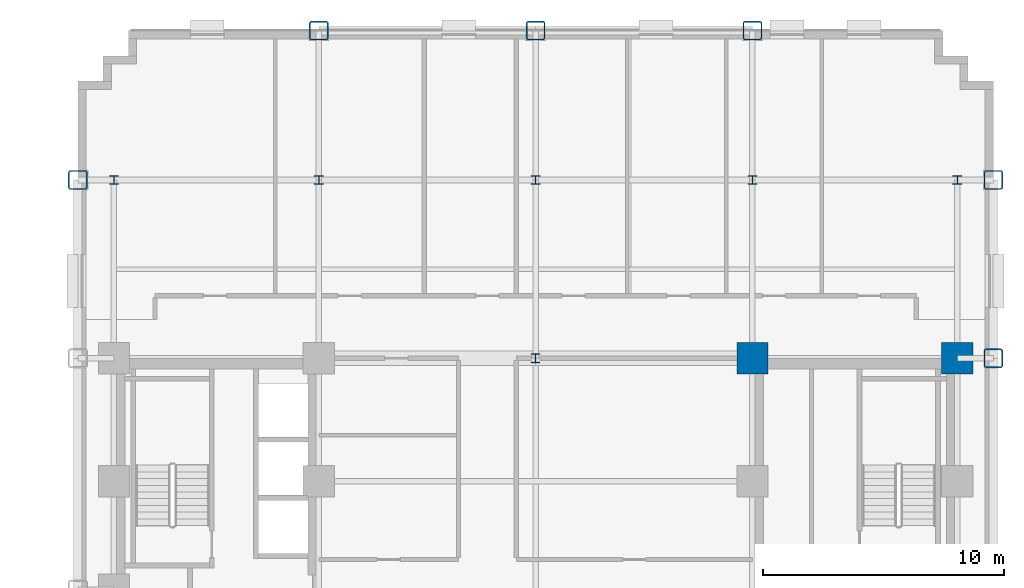
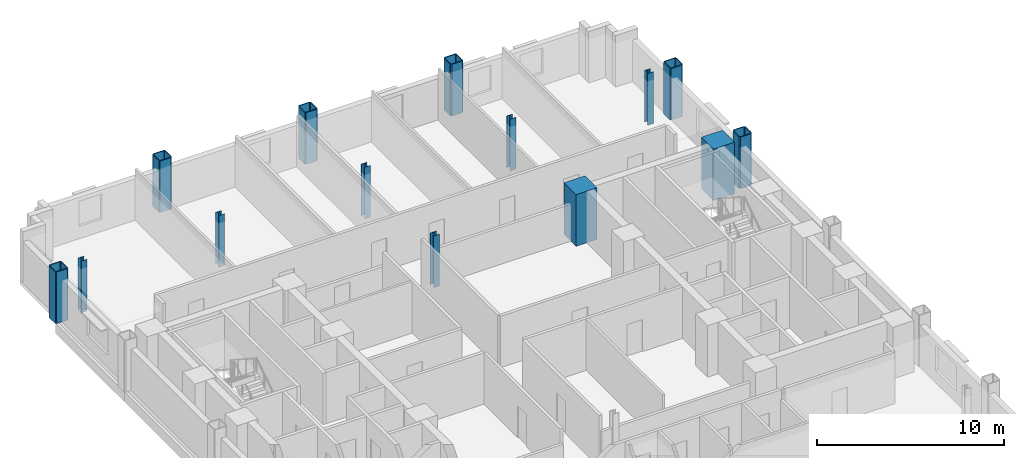
# One storey, part 2 of 12: 14 columns.
"""IFC4 building model written with IfcOpenShell, lengths in metres."""

from ifc_helpers import new_model, si_unit, direction, frame, origin, origin_2d, place, context, subcontext, project, spatial, rectangle, hollow_rectangle, i_section, extrude, material, material_profile, profile_set, type_object, element, save


model = new_model("IFC4")

# Units and contexts
model_context = context("Model", 3, precision=1e-05, world=origin(), true_north=direction((0.0, 1.0)))
body_context = subcontext(model_context, "Body", "Model", "MODEL_VIEW")
ifc_project = project(units=[si_unit("LENGTHUNIT", "METRE"), si_unit("AREAUNIT", "SQUARE_METRE"), si_unit("VOLUMEUNIT", "CUBIC_METRE"), si_unit("PLANEANGLEUNIT", "RADIAN"), si_unit("MASSUNIT", "GRAM", prefix="KILO")], contexts=[model_context])

# Site, building, storey
site_placement = place(None, origin())
site = spatial("IfcSite", under=ifc_project, at=site_placement, CompositionType="ELEMENT")
building_placement = place(site_placement, origin())
building = spatial("IfcBuilding", under=site, at=building_placement, Name="Nuvemarco Arch Tower", CompositionType="ELEMENT")
storey_placement = place(building_placement, frame((0.0, 0.0, 34.89990234375)))
storey = spatial("IfcBuildingStorey", under=building, at=storey_placement, Name="L08", CompositionType="ELEMENT", Elevation=34.89990234375)

# Columns
ifc_material_1 = material(Name="Concrete C60/75", Category="concrete")
ifc_material_profile_1 = material_profile(ifc_material_1, rectangle(XDim=1.300048828125, YDim=1.300048828125, at=origin_2d()), Name="RC-COL-1300x1300")
ifc_profile_set_1 = profile_set([ifc_material_profile_1], Name="Concrete C60/75")
column_type_1 = type_object("IfcColumnType", Name="COL-CORE-1300", PredefinedType="COLUMN", material=ifc_profile_set_1)
for number, where, z_axis, x_axis, name in (
    (1, (9.0, 9.60009765625, 0.0), (0.0, 0.0, 1.0), (1.0, 0.0, 0.0), "L08 column CC_+9.0_+9.6"),
    (2, (17.5, 9.60009765625, 0.0), (0.0, 0.0, 1.0), (1.0, 0.0, 0.0), "L08 column CC_+17.5_+9.6"),
):
    element("IfcColumn", number, at=place(storey_placement, frame(where, z_axis=z_axis, x_axis=x_axis)), inside=storey, type_object=column_type_1, Name=name, PredefinedType="COLUMN", context=body_context, shape_type="SweptSolid", body=[
        extrude(rectangle(XDim=1.300048828125, YDim=1.300048828125, at=origin_2d()), origin(), (0.0, 0.0, 1.0), 3.3701171875),
    ])
ifc_material_2 = material(Name="Steel S460", Category="steel")
ifc_material_profile_2 = material_profile(ifc_material_2, hollow_rectangle(XDim=0.800048828125, YDim=0.800048828125, WallThickness=0.054931640625, InnerFilletRadius=0.054931640625, OuterFilletRadius=0.110107421875, at=origin_2d()), Name="SHS800x800x55")
ifc_profile_set_2 = profile_set([ifc_material_profile_2], Name="Steel S460")
column_type_2 = type_object("IfcColumnType", Name="COL-EXO-800", PredefinedType="COLUMN", material=ifc_profile_set_2)
for number, where, z_axis, x_axis, name in (
    (3, (-19.0, 17.0, 0.0), (0.0, 0.0, 1.0), (1.0, 0.0, 0.0), "L08 column CX_-19.0_+17.0"),
    (4, (19.0, 9.60009765625, 0.0), (0.0, 0.0, 1.0), (1.0, 0.0, 0.0), "L08 column CX_+19.0_+9.6"),
    (5, (19.0, 17.0, 0.0), (0.0, 0.0, 1.0), (1.0, 0.0, 0.0), "L08 column CX_+19.0_+17.0"),
    (6, (-9.0, 23.199951171875, 0.0), (0.0, 0.0, 1.0), (1.0, 0.0, 0.0), "L08 column CY_-9.0_+23.2"),
    (7, (0.0, 23.199951171875, 0.0), (0.0, 0.0, 1.0), (1.0, 0.0, 0.0), "L08 column CY_+0.0_+23.2"),
    (8, (9.0, 23.199951171875, 0.0), (0.0, 0.0, 1.0), (1.0, 0.0, 0.0), "L08 column CY_+9.0_+23.2"),
):
    element("IfcColumn", number, at=place(storey_placement, frame(where, z_axis=z_axis, x_axis=x_axis)), inside=storey, type_object=column_type_2, Name=name, PredefinedType="COLUMN", context=body_context, shape_type="SweptSolid", body=[
        extrude(hollow_rectangle(XDim=0.800048828125, YDim=0.800048828125, WallThickness=0.054931640625, InnerFilletRadius=0.054931640625, OuterFilletRadius=0.110107421875, at=origin_2d()), origin(), (0.0, 0.0, 1.0), 3.3701171875),
    ])
ifc_material_3 = material(Name="Steel S355", Category="steel")
ifc_material_profile_3 = material_profile(ifc_material_3, i_section(OverallWidth=0.360107421875, OverallDepth=0.360107421875, WebThickness=0.0205078125, FlangeThickness=0.0205078125, FilletRadius=0.01806640625, at=origin_2d()), Name="HP360x174")
ifc_profile_set_3 = profile_set([ifc_material_profile_3], Name="Steel S355")
column_type_3 = type_object("IfcColumnType", Name="COL-STL-HP360", PredefinedType="COLUMN", material=ifc_profile_set_3)
for number, where, z_axis, x_axis, name in (
    (9, (0.0, 9.60009765625, 0.0), (0.0, 0.0, 1.0), (1.0, 0.0, 0.0), "L08 column CI_+0.0_+9.6"),
    (10, (0.0, 17.0, 0.0), (0.0, 0.0, 1.0), (1.0, 0.0, 0.0), "L08 column CI_+0.0_+17.0"),
    (11, (-17.5, 17.0, 0.0), (0.0, 0.0, 1.0), (1.0, 0.0, 0.0), "L08 column CI_-17.5_+17.0"),
    (12, (-9.0, 17.0, 0.0), (0.0, 0.0, 1.0), (1.0, 0.0, 0.0), "L08 column CI_-9.0_+17.0"),
    (13, (9.0, 17.0, 0.0), (0.0, 0.0, 1.0), (1.0, 0.0, 0.0), "L08 column CI_+9.0_+17.0"),
    (14, (17.5, 17.0, 0.0), (0.0, 0.0, 1.0), (1.0, 0.0, 0.0), "L08 column CI_+17.5_+17.0"),
):
    element("IfcColumn", number, at=place(storey_placement, frame(where, z_axis=z_axis, x_axis=x_axis)), inside=storey, type_object=column_type_3, Name=name, PredefinedType="COLUMN", context=body_context, shape_type="SweptSolid", body=[
        extrude(i_section(OverallWidth=0.360107421875, OverallDepth=0.360107421875, WebThickness=0.0205078125, FlangeThickness=0.0205078125, FilletRadius=0.01806640625, at=origin_2d()), origin(), (0.0, 0.0, 1.0), 3.3701171875),
    ])

save(model, "model.ifc")
